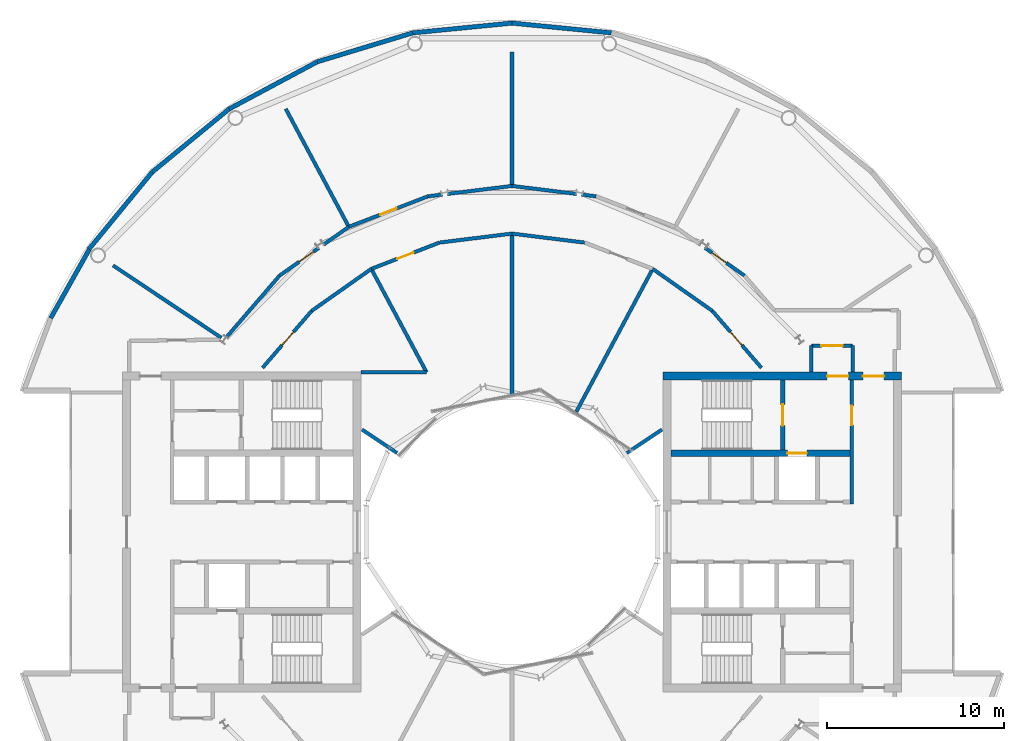
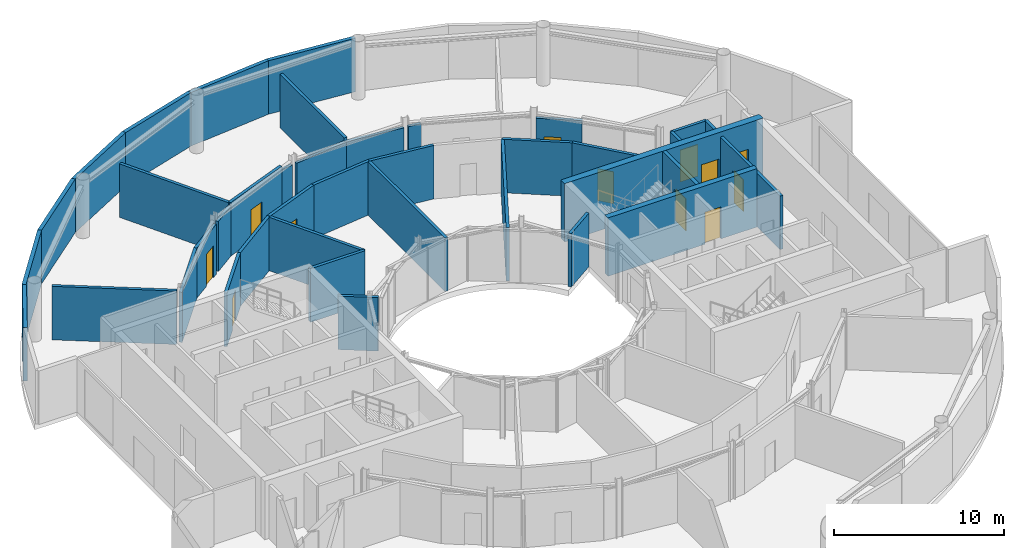
# One storey, part 15 of 19: 39 walls, 12 doors, 12 openings.
"""IFC4 building model written with IfcOpenShell, lengths in metres."""

from ifc_helpers import new_model, si_unit, direction, frame, frame_2d, origin, place, context, subcontext, project, spatial, rectangle, extrude, material, layer, layer_set, type_object, element, fill, save


model = new_model("IFC4")

# Units and contexts
model_context = context("Model", 3, precision=1e-05, world=origin(), true_north=direction((0.0, 1.0)))
body_context = subcontext(model_context, "Body", "Model", "MODEL_VIEW")
ifc_project = project(units=[si_unit("LENGTHUNIT", "METRE"), si_unit("AREAUNIT", "SQUARE_METRE"), si_unit("VOLUMEUNIT", "CUBIC_METRE"), si_unit("PLANEANGLEUNIT", "RADIAN"), si_unit("MASSUNIT", "GRAM", prefix="KILO")], contexts=[model_context])

# Site, building, storey
site_placement = place(None, origin())
site = spatial("IfcSite", under=ifc_project, at=site_placement, CompositionType="ELEMENT")
building_placement = place(site_placement, origin())
building = spatial("IfcBuilding", under=site, at=building_placement, Name="Maasbend Ring Residences", CompositionType="ELEMENT")
storey_placement = place(building_placement, frame((0.0, 0.0, 186.0)))
storey = spatial("IfcBuildingStorey", under=building, at=storey_placement, Name="L53", CompositionType="ELEMENT", Elevation=186.0)

# Walls
ifc_material_1 = material(Name="Concrete C30/37", Category="concrete")
ifc_layer_1 = layer(ifc_material_1, 0.199951171875)
ifc_layer_set_1 = layer_set([ifc_layer_1], Name="Concrete C30/37")
wall_type_1 = type_object("IfcWallType", Name="COMPARTMENT WALL 200 CONCRETE", PredefinedType="PARTITIONING", material=ifc_layer_set_1)
for number, where, z_axis, x_axis, name in (
    (1, (19.300048828125, 9.070068359375, 0.0), (0.0, 0.0, 1.0), (0.0, 1.0, 0.0), "U-L53-w016"),
    (2, (16.949951171875, 9.070068359375, 0.0), (0.0, 0.0, 1.0), (0.0, 1.0, 0.0), "U-L53-w017"),
):
    element("IfcWall", number, at=place(storey_placement, frame(where, z_axis=z_axis, x_axis=x_axis)), inside=storey, type_object=wall_type_1, Name=name, PredefinedType="PARTITIONING", context=body_context, shape_type="SweptSolid", body=[
        extrude(rectangle(XDim=1.47998046875, YDim=0.199951171875, at=frame_2d((0.739990234375, 0.0))), origin(), (0.0, 0.0, 1.0), 3.85009765625),
    ])
wall_1_placement = place(storey_placement, frame((-22.594970703125, 15.097900390625, 0.0), z_axis=(0.0, 0.0, 1.0), x_axis=(0.831433566583, -0.555624175463, 0.0)))
element("IfcWall", 3, at=wall_1_placement, inside=storey, type_object=wall_type_1, Name="U-L53-w031", PredefinedType="PARTITIONING", context=body_context, shape_type="SweptSolid", body=[
    extrude(rectangle(XDim=7.375244140625, YDim=0.199951171875, at=frame_2d((3.6875, 0.0))), origin(), (0.0, 0.0, 1.0), 3.85009765625),
])
wall_2_placement = place(storey_placement, frame((-12.81298828125, 23.965087890625, 0.0), z_axis=(0.0, 0.0, 1.0), x_axis=(0.471439510802, -0.881898399848, 0.0)))
element("IfcWall", 4, at=wall_2_placement, inside=storey, type_object=wall_type_1, Name="U-L53-w033", PredefinedType="PARTITIONING", context=body_context, shape_type="SweptSolid", body=[
    extrude(rectangle(XDim=7.57470703125, YDim=0.199951171875, at=frame_2d((3.787353515625, 0.0))), origin(), (0.0, 0.0, 1.0), 3.85009765625),
])
wall_3_placement = place(storey_placement, frame((-7.968994140625, 14.903076171875, 0.0), z_axis=(0.0, 0.0, 1.0), x_axis=(0.471496623847, -0.88186786635, 0.0)))
element("IfcWall", 5, at=wall_3_placement, inside=storey, type_object=wall_type_1, Name="U-L53-w035", PredefinedType="PARTITIONING", context=body_context, shape_type="SweptSolid", body=[
    extrude(rectangle(XDim=6.63818359375, YDim=0.199951171875, at=frame_2d((3.319091796875, 0.0))), origin(), (0.0, 0.0, 1.0), 3.85009765625),
])
wall_4_placement = place(storey_placement, frame((0.0, 7.719970703125, 0.0), z_axis=(0.0, 0.0, 1.0), x_axis=(0.0, 1.0, 0.0)))
element("IfcWall", 6, at=wall_4_placement, inside=storey, type_object=wall_type_1, Name="U-L53-w039", PredefinedType="PARTITIONING", context=body_context, shape_type="SweptSolid", body=[
    extrude(rectangle(XDim=9.179931640625, YDim=0.199951171875, at=frame_2d((4.58984375, 0.0))), origin(), (0.0, 0.0, 1.0), 3.85009765625),
])
wall_5_placement = place(storey_placement, frame((0.0, 19.60009765625, 0.0), z_axis=(0.0, 0.0, 1.0), x_axis=(0.0, 1.0, 0.0)))
element("IfcWall", 7, at=wall_5_placement, inside=storey, type_object=wall_type_1, Name="U-L53-w040", PredefinedType="PARTITIONING", context=body_context, shape_type="SweptSolid", body=[
    extrude(rectangle(XDim=7.574951171875, YDim=0.199951171875, at=frame_2d((3.78759765625, 0.0))), origin(), (0.0, 0.0, 1.0), 3.85009765625),
])
wall_6_placement = place(storey_placement, frame((3.64111328125, 6.806884765625, 0.0), z_axis=(0.0, 0.0, 1.0), x_axis=(0.471428625665, 0.881904218667, 0.0)))
element("IfcWall", 8, at=wall_6_placement, inside=storey, type_object=wall_type_1, Name="U-L53-w042", PredefinedType="PARTITIONING", context=body_context, shape_type="SweptSolid", body=[
    extrude(rectangle(XDim=9.180419921875, YDim=0.199951171875, at=frame_2d((4.59033203125, 0.0))), origin(), (0.0, 0.0, 1.0), 3.85009765625),
])
wall_7_placement = place(storey_placement, frame((-8.550048828125, 9.050048828125, 0.0), z_axis=(0.0, 0.0, 1.0), x_axis=(1.0, 0.0, 0.0)))
element("IfcWall", 9, at=wall_7_placement, inside=storey, type_object=wall_type_1, Name="U-L53-w049", PredefinedType="PARTITIONING", context=body_context, shape_type="SweptSolid", body=[
    extrude(rectangle(XDim=3.712158203125, YDim=0.199951171875, at=frame_2d((1.85595703125, 0.0))), origin(), (0.0, 0.0, 1.0), 3.85009765625),
])

# Wall, opening, door
wall_8_placement = place(storey_placement, frame((16.949951171875, 10.550048828125, 0.0), z_axis=(0.0, 0.0, 1.0), x_axis=(1.0, 0.0, 0.0)))
wall_8 = element("IfcWall", 10, at=wall_8_placement, inside=storey, type_object=wall_type_1, Name="U-L53-w050", PredefinedType="PARTITIONING", context=body_context, shape_type="SweptSolid", body=[
    extrude(rectangle(XDim=2.35009765625, YDim=0.199951171875, at=frame_2d((1.175048828125, 0.0))), origin(), (0.0, 0.0, 1.0), 3.85009765625),
])
opening_1_placement = place(wall_8_placement, frame((0.574951171875, 0.0, 0.0)))
opening_1 = element("IfcOpeningElement", 11, at=opening_1_placement, cuts=wall_8, Name="Opening D-5301", PredefinedType="OPENING", context=body_context, shape_type="SweptSolid", body=[
    extrude(rectangle(XDim=1.199951171875, YDim=2.300048828125, at=frame_2d((0.60009765625, 1.14990234375))), frame((0.0, 0.10986328125, 0.0), z_axis=(0.0, -1.0, 0.0), x_axis=(1.0, 0.0, 0.0)), (0.0, 0.0, 1.0), 0.219970703125),
])
ifc_material_2 = material(Name="Steel, fire-rated, painted", Category="steel")
door_type_1 = type_object("IfcDoorType", Name="REFUGE DOOR 1200 X 2300 FIRE-RATED", OperationType="NOTDEFINED", PredefinedType="DOOR", material=ifc_material_2)
door_1_placement = place(opening_1_placement, origin())
door_1 = element("IfcDoor", 12, at=door_1_placement, inside=storey, type_object=door_type_1, Name="D-5301", OperationType="SINGLE_SWING_LEFT", OverallHeight=2.300048828125, OverallWidth=1.199951171875, PredefinedType="DOOR", context=body_context, shape_type="SweptSolid", body=[
    extrude(rectangle(XDim=1.199951171875, YDim=2.300048828125, at=frame_2d((0.60009765625, 1.14990234375))), frame((0.0, 0.02490234375, 0.0), z_axis=(0.0, -1.0, 0.0), x_axis=(1.0, 0.0, 0.0)), (0.0, 0.0, 1.0), 0.050048828125),
])
fill(opening_1, door_1)

wall_9_placement = place(storey_placement, frame((-14.12890625, 9.300048828125, 0.0), z_axis=(0.0, 0.0, 1.0), x_axis=(0.65324486504, 0.757146713853, 0.0)))
wall_9 = element("IfcWall", 13, at=wall_9_placement, inside=storey, type_object=wall_type_1, Name="U-L53-w053", PredefinedType="PARTITIONING", context=body_context, shape_type="SweptSolid", body=[
    extrude(rectangle(XDim=4.25537109375, YDim=0.199951171875, at=frame_2d((2.127685546875, 0.0))), origin(), (0.0, 0.0, 1.0), 3.85009765625),
])
opening_2_placement = place(wall_9_placement, frame((1.68701171875, 0.0, 0.0)))
opening_2 = element("IfcOpeningElement", 14, at=opening_2_placement, cuts=wall_9, Name="Opening D-5310", PredefinedType="OPENING", context=body_context, shape_type="SweptSolid", body=[
    extrude(rectangle(XDim=1.0, YDim=2.300048828125, at=frame_2d((0.5, 1.14990234375))), frame((0.0, 0.10986328125, 0.0), z_axis=(0.0, -1.0, 0.0), x_axis=(1.0, 0.0, 0.0)), (0.0, 0.0, 1.0), 0.219970703125),
])
ifc_material_3 = material(Name="Steel, fire-rated, painted", Category="steel")
door_type_2 = type_object("IfcDoorType", Name="PLANT DOOR 1000 X 2300 FIRE-RATED", OperationType="NOTDEFINED", PredefinedType="DOOR", material=ifc_material_3)
door_2_placement = place(opening_2_placement, origin())
door_2 = element("IfcDoor", 15, at=door_2_placement, inside=storey, type_object=door_type_2, Name="D-5310", OperationType="SINGLE_SWING_RIGHT", OverallHeight=2.300048828125, OverallWidth=1.0, PredefinedType="DOOR", context=body_context, shape_type="SweptSolid", body=[
    extrude(rectangle(XDim=1.0, YDim=2.300048828125, at=frame_2d((0.5, 1.14990234375))), frame((0.0, 0.02490234375, 0.0), z_axis=(0.0, -1.0, 0.0), x_axis=(1.0, 0.0, 0.0)), (0.0, 0.0, 1.0), 0.050048828125),
])
fill(opening_2, door_2)

# Wall
wall_10_placement = place(storey_placement, frame((-11.34912109375, 12.52197265625, 0.0), z_axis=(0.0, 0.0, 1.0), x_axis=(0.817567680547, 0.575832517079, 0.0)))
element("IfcWall", 16, at=wall_10_placement, inside=storey, type_object=wall_type_1, Name="U-L53-w054", PredefinedType="PARTITIONING", context=body_context, shape_type="SweptSolid", body=[
    extrude(rectangle(XDim=4.13671875, YDim=0.199951171875, at=frame_2d((2.068359375, 0.0))), origin(), (0.0, 0.0, 1.0), 3.85009765625),
])

# Wall, opening, door
wall_11_placement = place(storey_placement, frame((-7.967041015625, 14.904052734375, 0.0), z_axis=(0.0, 0.0, 1.0), x_axis=(0.932943640288, 0.360022449363, 0.0)))
wall_11 = element("IfcWall", 17, at=wall_11_placement, inside=storey, type_object=wall_type_1, Name="U-L53-w055", PredefinedType="PARTITIONING", context=body_context, shape_type="SweptSolid", body=[
    extrude(rectangle(XDim=4.138671875, YDim=0.199951171875, at=frame_2d((2.0693359375, 0.0))), origin(), (0.0, 0.0, 1.0), 3.85009765625),
])
opening_3_placement = place(wall_11_placement, frame((1.569091796875, 0.0, 0.0)))
opening_3 = element("IfcOpeningElement", 18, at=opening_3_placement, cuts=wall_11, Name="Opening D-5309", PredefinedType="OPENING", context=body_context, shape_type="SweptSolid", body=[
    extrude(rectangle(XDim=1.0, YDim=2.300048828125, at=frame_2d((0.5, 1.14990234375))), frame((0.0, 0.10986328125, 0.0), z_axis=(0.0, -1.0, 0.0), x_axis=(1.0, 0.0, 0.0)), (0.0, 0.0, 1.0), 0.219970703125),
])
door_3_placement = place(opening_3_placement, origin())
door_3 = element("IfcDoor", 19, at=door_3_placement, inside=storey, type_object=door_type_2, Name="D-5309", OperationType="SINGLE_SWING_RIGHT", OverallHeight=2.300048828125, OverallWidth=1.0, PredefinedType="DOOR", context=body_context, shape_type="SweptSolid", body=[
    extrude(rectangle(XDim=1.0, YDim=2.300048828125, at=frame_2d((0.5, 1.14990234375))), frame((0.0, 0.02490234375, 0.0), z_axis=(0.0, -1.0, 0.0), x_axis=(1.0, 0.0, 0.0)), (0.0, 0.0, 1.0), 0.050048828125),
])
fill(opening_3, door_3)

# Walls
for number, where, z_axis, x_axis, name in (
    (20, (-4.10595703125, 16.39404296875, 0.0), (0.0, 0.0, 1.0), (0.992496033272, 0.122276833211, 0.0), "U-L53-w056"),
    (21, (0.0, 16.89990234375, 0.0), (0.0, 0.0, 1.0), (0.992496033272, -0.122276833211, 0.0), "U-L53-w057"),
):
    element("IfcWall", number, at=place(storey_placement, frame(where, z_axis=z_axis, x_axis=x_axis)), inside=storey, type_object=wall_type_1, Name=name, PredefinedType="PARTITIONING", context=body_context, shape_type="SweptSolid", body=[
        extrude(rectangle(XDim=4.136962890625, YDim=0.199951171875, at=frame_2d((2.068359375, 0.0))), origin(), (0.0, 0.0, 1.0), 3.85009765625),
    ])
wall_12_placement = place(storey_placement, frame((7.967041015625, 14.904052734375, 0.0), z_axis=(0.0, 0.0, 1.0), x_axis=(0.817567680547, -0.575832517079, 0.0)))
element("IfcWall", 22, at=wall_12_placement, inside=storey, type_object=wall_type_1, Name="U-L53-w059", PredefinedType="PARTITIONING", context=body_context, shape_type="SweptSolid", body=[
    extrude(rectangle(XDim=4.13671875, YDim=0.199951171875, at=frame_2d((2.068359375, 0.0))), origin(), (0.0, 0.0, 1.0), 3.85009765625),
])

# Wall, opening, door
wall_13_placement = place(storey_placement, frame((11.34912109375, 12.52197265625, 0.0), z_axis=(0.0, 0.0, 1.0), x_axis=(0.65324486504, -0.757146713853, 0.0)))
wall_13 = element("IfcWall", 23, at=wall_13_placement, inside=storey, type_object=wall_type_1, Name="U-L53-w060", PredefinedType="PARTITIONING", context=body_context, shape_type="SweptSolid", body=[
    extrude(rectangle(XDim=4.25537109375, YDim=0.199951171875, at=frame_2d((2.127685546875, 0.0))), origin(), (0.0, 0.0, 1.0), 3.85009765625),
])
opening_4_placement = place(wall_13_placement, frame((1.569091796875, 0.0, 0.0)))
opening_4 = element("IfcOpeningElement", 24, at=opening_4_placement, cuts=wall_13, Name="Opening D-5307", PredefinedType="OPENING", context=body_context, shape_type="SweptSolid", body=[
    extrude(rectangle(XDim=1.0, YDim=2.300048828125, at=frame_2d((0.5, 1.14990234375))), frame((0.0, 0.10986328125, 0.0), z_axis=(0.0, -1.0, 0.0), x_axis=(1.0, 0.0, 0.0)), (0.0, 0.0, 1.0), 0.219970703125),
])
door_4_placement = place(opening_4_placement, origin())
door_4 = element("IfcDoor", 25, at=door_4_placement, inside=storey, type_object=door_type_2, Name="D-5307", OperationType="SINGLE_SWING_LEFT", OverallHeight=2.300048828125, OverallWidth=1.0, PredefinedType="DOOR", context=body_context, shape_type="SweptSolid", body=[
    extrude(rectangle(XDim=1.0, YDim=2.300048828125, at=frame_2d((0.5, 1.14990234375))), frame((0.0, 0.02490234375, 0.0), z_axis=(0.0, -1.0, 0.0), x_axis=(1.0, 0.0, 0.0)), (0.0, 0.0, 1.0), 0.050048828125),
])
fill(opening_4, door_4)

# Wall
wall_14_placement = place(storey_placement, frame((-16.197998046875, 11.00390625, 0.0), z_axis=(0.0, 0.0, 1.0), x_axis=(0.653094461639, 0.757276451619, 0.0)))
element("IfcWall", 26, at=wall_14_placement, inside=storey, type_object=wall_type_1, Name="U-L53-w063", PredefinedType="PARTITIONING", context=body_context, shape_type="SweptSolid", body=[
    extrude(rectangle(XDim=4.64697265625, YDim=0.199951171875, at=frame_2d((2.323486328125, 0.0))), origin(), (0.0, 0.0, 1.0), 3.60009765625),
])

# Wall, opening, door
wall_15_placement = place(storey_placement, frame((-13.1630859375, 14.52294921875, 0.0), z_axis=(0.0, 0.0, 1.0), x_axis=(0.817664396292, 0.57569517545, 0.0)))
wall_15 = element("IfcWall", 27, at=wall_15_placement, inside=storey, type_object=wall_type_1, Name="U-L53-w064", PredefinedType="PARTITIONING", context=body_context, shape_type="SweptSolid", body=[
    extrude(rectangle(XDim=2.727294921875, YDim=0.199951171875, at=frame_2d((1.36376953125, 0.0))), origin(), (0.0, 0.0, 1.0), 3.60009765625),
])
opening_5_placement = place(wall_15_placement, frame((1.35009765625, 0.0, 0.0)))
opening_5 = element("IfcOpeningElement", 28, at=opening_5_placement, cuts=wall_15, Name="Opening D-5306", PredefinedType="OPENING", context=body_context, shape_type="SweptSolid", body=[
    extrude(rectangle(XDim=1.0, YDim=2.300048828125, at=frame_2d((0.5, 1.14990234375))), frame((0.0, 0.10986328125, 0.0), z_axis=(0.0, -1.0, 0.0), x_axis=(1.0, 0.0, 0.0)), (0.0, 0.0, 1.0), 0.219970703125),
])
door_5_placement = place(opening_5_placement, origin())
door_5 = element("IfcDoor", 29, at=door_5_placement, inside=storey, type_object=door_type_2, Name="D-5306", OperationType="SINGLE_SWING_RIGHT", OverallHeight=2.300048828125, OverallWidth=1.0, PredefinedType="DOOR", context=body_context, shape_type="SweptSolid", body=[
    extrude(rectangle(XDim=1.0, YDim=2.300048828125, at=frame_2d((0.5, 1.14990234375))), frame((0.0, 0.02490234375, 0.0), z_axis=(0.0, -1.0, 0.0), x_axis=(1.0, 0.0, 0.0)), (0.0, 0.0, 1.0), 0.050048828125),
])
fill(opening_5, door_5)

# Wall
wall_16_placement = place(storey_placement, frame((-10.68798828125, 16.26611328125, 0.0), z_axis=(0.0, 0.0, 1.0), x_axis=(0.817772792535, 0.575541188613, 0.0)))
element("IfcWall", 30, at=wall_16_placement, inside=storey, type_object=wall_type_1, Name="U-L53-w065", PredefinedType="PARTITIONING", context=body_context, shape_type="SweptSolid", body=[
    extrude(rectangle(XDim=1.77197265625, YDim=0.199951171875, at=frame_2d((0.885986328125, 0.0))), origin(), (0.0, 0.0, 1.0), 3.60009765625),
])

# Wall, opening, door
wall_17_placement = place(storey_placement, frame((-9.239013671875, 17.285888671875, 0.0), z_axis=(0.0, 0.0, 1.0), x_axis=(0.932988479706, 0.359906233255, 0.0)))
wall_17 = element("IfcWall", 31, at=wall_17_placement, inside=storey, type_object=wall_type_1, Name="U-L53-w066", PredefinedType="PARTITIONING", context=body_context, shape_type="SweptSolid", body=[
    extrude(rectangle(XDim=4.798583984375, YDim=0.199951171875, at=frame_2d((2.3994140625, 0.0))), origin(), (0.0, 0.0, 1.0), 3.85009765625),
])
opening_6_placement = place(wall_17_placement, frame((1.89892578125, 0.0, 0.0)))
opening_6 = element("IfcOpeningElement", 32, at=opening_6_placement, cuts=wall_17, Name="Opening D-5305", PredefinedType="OPENING", context=body_context, shape_type="SweptSolid", body=[
    extrude(rectangle(XDim=1.0, YDim=2.300048828125, at=frame_2d((0.5, 1.14990234375))), frame((0.0, 0.10986328125, 0.0), z_axis=(0.0, -1.0, 0.0), x_axis=(1.0, 0.0, 0.0)), (0.0, 0.0, 1.0), 0.219970703125),
])
door_6_placement = place(opening_6_placement, origin())
door_6 = element("IfcDoor", 33, at=door_6_placement, inside=storey, type_object=door_type_2, Name="D-5305", OperationType="SINGLE_SWING_LEFT", OverallHeight=2.300048828125, OverallWidth=1.0, PredefinedType="DOOR", context=body_context, shape_type="SweptSolid", body=[
    extrude(rectangle(XDim=1.0, YDim=2.300048828125, at=frame_2d((0.5, 1.14990234375))), frame((0.0, 0.02490234375, 0.0), z_axis=(0.0, -1.0, 0.0), x_axis=(1.0, 0.0, 0.0)), (0.0, 0.0, 1.0), 0.050048828125),
])
fill(opening_6, door_6)

# Walls
wall_18_placement = place(storey_placement, frame((-4.761962890625, 19.012939453125, 0.0), z_axis=(0.0, 0.0, 1.0), x_axis=(0.992392935119, 0.123110772587, 0.0)))
element("IfcWall", 34, at=wall_18_placement, inside=storey, type_object=wall_type_1, Name="U-L53-w067", PredefinedType="PARTITIONING", context=body_context, shape_type="SweptSolid", body=[
    extrude(rectangle(XDim=0.81298828125, YDim=0.199951171875, at=frame_2d((0.406494140625, 0.0))), origin(), (0.0, 0.0, 1.0), 3.60009765625),
])
for number, where, z_axis, x_axis, name in (
    (35, (-3.656005859375, 19.14892578125, 0.0), (0.0, 0.0, 1.0), (0.992471400802, 0.122476604253, 0.0), "U-L53-w068"),
    (36, (0.0, 19.60009765625, 0.0), (0.0, 0.0, 1.0), (0.992471400802, -0.122476604253, 0.0), "U-L53-w069"),
):
    element("IfcWall", number, at=place(storey_placement, frame(where, z_axis=z_axis, x_axis=x_axis)), inside=storey, type_object=wall_type_1, Name=name, PredefinedType="PARTITIONING", context=body_context, shape_type="SweptSolid", body=[
        extrude(rectangle(XDim=3.683837890625, YDim=0.199951171875, at=frame_2d((1.841796875, 0.0))), origin(), (0.0, 0.0, 1.0), 3.60009765625),
    ])
wall_19_placement = place(storey_placement, frame((3.955078125, 19.113037109375, 0.0), z_axis=(0.0, 0.0, 1.0), x_axis=(0.992392935119, -0.123110772587, 0.0)))
element("IfcWall", 37, at=wall_19_placement, inside=storey, type_object=wall_type_1, Name="U-L53-w070", PredefinedType="PARTITIONING", context=body_context, shape_type="SweptSolid", body=[
    extrude(rectangle(XDim=0.81298828125, YDim=0.199951171875, at=frame_2d((0.406494140625, 0.0))), origin(), (0.0, 0.0, 1.0), 3.60009765625),
])

# Wall, opening, door
wall_20_placement = place(storey_placement, frame((10.93310546875, 16.093017578125, 0.0), z_axis=(0.0, 0.0, 1.0), x_axis=(0.817664396292, -0.57569517545, 0.0)))
wall_20 = element("IfcWall", 38, at=wall_20_placement, inside=storey, type_object=wall_type_1, Name="U-L53-w073", PredefinedType="PARTITIONING", context=body_context, shape_type="SweptSolid", body=[
    extrude(rectangle(XDim=2.727294921875, YDim=0.199951171875, at=frame_2d((1.36376953125, 0.0))), origin(), (0.0, 0.0, 1.0), 3.60009765625),
])
opening_7_placement = place(wall_20_placement, frame((0.47802734375, 0.0, 0.0)))
opening_7 = element("IfcOpeningElement", 39, at=opening_7_placement, cuts=wall_20, Name="Opening D-5303", PredefinedType="OPENING", context=body_context, shape_type="SweptSolid", body=[
    extrude(rectangle(XDim=1.0, YDim=2.300048828125, at=frame_2d((0.5, 1.14990234375))), frame((0.0, 0.10986328125, 0.0), z_axis=(0.0, -1.0, 0.0), x_axis=(1.0, 0.0, 0.0)), (0.0, 0.0, 1.0), 0.219970703125),
])
door_7_placement = place(opening_7_placement, origin())
door_7 = element("IfcDoor", 40, at=door_7_placement, inside=storey, type_object=door_type_2, Name="D-5303", OperationType="SINGLE_SWING_LEFT", OverallHeight=2.300048828125, OverallWidth=1.0, PredefinedType="DOOR", context=body_context, shape_type="SweptSolid", body=[
    extrude(rectangle(XDim=1.0, YDim=2.300048828125, at=frame_2d((0.5, 1.14990234375))), frame((0.0, 0.02490234375, 0.0), z_axis=(0.0, -1.0, 0.0), x_axis=(1.0, 0.0, 0.0)), (0.0, 0.0, 1.0), 0.050048828125),
])
fill(opening_7, door_7)

ifc_material_4 = material(Name="Concrete C50/60", Category="concrete")
ifc_layer_2 = layer(ifc_material_4, 0.25)
ifc_layer_set_2 = layer_set([ifc_layer_2], Name="Concrete C50/60")
wall_type_2 = type_object("IfcWallType", Name="CORE WALL 250 C50/60", PredefinedType="SHEAR", material=ifc_layer_set_2)
wall_21_placement = place(storey_placement, frame((15.324951171875, 4.64990234375, 0.0), z_axis=(0.0, 0.0, 1.0), x_axis=(0.0, 1.0, 0.0)))
wall_21 = element("IfcWall", 41, at=wall_21_placement, inside=storey, type_object=wall_type_2, Name="L53 core E wall STEN", PredefinedType="SHEAR", context=body_context, shape_type="SweptSolid", body=[
    extrude(rectangle(XDim=3.9501953125, YDim=0.25, at=frame_2d((1.97509765625, 0.0))), origin(), (0.0, 0.0, 1.0), 4.199951171875),
])
opening_8_placement = place(wall_21_placement, frame((1.375, 0.0, 0.0)))
opening_8 = element("IfcOpeningElement", 42, at=opening_8_placement, cuts=wall_21, Name="Opening D-E5312", PredefinedType="OPENING", context=body_context, shape_type="SweptSolid", body=[
    extrude(rectangle(XDim=1.199951171875, YDim=2.300048828125, at=frame_2d((0.60009765625, 1.14990234375))), frame((0.0, 0.135009765625, 0.0), z_axis=(0.0, -1.0, 0.0), x_axis=(1.0, 0.0, 0.0)), (0.0, 0.0, 1.0), 0.27001953125),
])
ifc_material_5 = material(Name="Steel, powder coated", Category="steel")
door_type_3 = type_object("IfcDoorType", Name="STAIR DOOR 1200 X 2300 FD60", OperationType="NOTDEFINED", PredefinedType="DOOR", material=ifc_material_5)
door_8_placement = place(opening_8_placement, origin())
door_8 = element("IfcDoor", 43, at=door_8_placement, inside=storey, type_object=door_type_3, Name="Stair door ST-E L53", OperationType="SINGLE_SWING_LEFT", OverallHeight=2.300048828125, OverallWidth=1.199951171875, PredefinedType="DOOR", context=body_context, shape_type="SweptSolid", body=[
    extrude(rectangle(XDim=1.199951171875, YDim=2.300048828125, at=frame_2d((0.60009765625, 1.14990234375))), frame((0.0, 0.02490234375, 0.0), z_axis=(0.0, -1.0, 0.0), x_axis=(1.0, 0.0, 0.0)), (0.0, 0.0, 1.0), 0.050048828125),
])
fill(opening_8, door_8)

ifc_material_6 = material(Name="Concrete C50/60", Category="concrete")
ifc_layer_3 = layer(ifc_material_6, 0.375)
ifc_layer_set_3 = layer_set([ifc_layer_3], Name="Concrete C50/60")
wall_type_3 = type_object("IfcWallType", Name="CORE WALL 375 C50/60", PredefinedType="SHEAR", material=ifc_layer_set_3)
wall_22_placement = place(storey_placement, frame((9.0, 4.46240234375, 0.0), z_axis=(0.0, 0.0, 1.0), x_axis=(1.0, 0.0, 0.0)))
wall_22 = element("IfcWall", 44, at=wall_22_placement, inside=storey, type_object=wall_type_3, Name="L53 core E wall BN", PredefinedType="SHEAR", context=body_context, shape_type="SweptSolid", body=[
    extrude(rectangle(XDim=10.14990234375, YDim=0.375, at=frame_2d((5.074951171875, 0.0))), origin(), (0.0, 0.0, 1.0), 4.199951171875),
])
opening_9_placement = place(wall_22_placement, frame((6.60009765625, 0.0, 0.0)))
opening_9 = element("IfcOpeningElement", 45, at=opening_9_placement, cuts=wall_22, Name="Opening LD-E5301", PredefinedType="OPENING", context=body_context, shape_type="SweptSolid", body=[
    extrude(rectangle(XDim=1.10009765625, YDim=2.300048828125, at=frame_2d((0.550048828125, 1.14990234375))), frame((0.0, 0.197509765625, 0.0), z_axis=(0.0, -1.0, 0.0), x_axis=(1.0, 0.0, 0.0)), (0.0, 0.0, 1.0), 0.39501953125),
])
ifc_material_7 = material(Name="Stainless steel 316", Category="steel")
door_type_4 = type_object("IfcDoorType", Name="LANDING DOOR 1100 X 2300 FD60", OperationType="DOUBLE_DOOR_SLIDING", PredefinedType="DOOR", material=ifc_material_7)
door_9_placement = place(opening_9_placement, origin())
door_9 = element("IfcDoor", 46, at=door_9_placement, inside=storey, type_object=door_type_4, Name="Landing door FF-E L53", OperationType="DOUBLE_DOOR_SLIDING", OverallHeight=2.300048828125, OverallWidth=1.10009765625, PredefinedType="DOOR", context=body_context, shape_type="SweptSolid", body=[
    extrude(rectangle(XDim=1.10009765625, YDim=2.300048828125, at=frame_2d((0.550048828125, 1.14990234375))), frame((0.0, 0.02490234375, 0.0), z_axis=(0.0, -1.0, 0.0), x_axis=(1.0, 0.0, 0.0)), (0.0, 0.0, 1.0), 0.050048828125),
])
fill(opening_9, door_9)

# Wall, openings, doors
ifc_material_8 = material(Name="Concrete C50/60", Category="concrete")
ifc_layer_4 = layer(ifc_material_8, 0.449951171875)
ifc_layer_set_4 = layer_set([ifc_layer_4], Name="Concrete C50/60")
wall_type_4 = type_object("IfcWallType", Name="CORE WALL 450 C50/60", PredefinedType="SHEAR", material=ifc_layer_set_4)
wall_23_placement = place(storey_placement, frame((22.050048828125, 8.824951171875, 0.0), z_axis=(0.0, 0.0, 1.0), x_axis=(-1.0, 0.0, 0.0)))
wall_23 = element("IfcWall", 47, at=wall_23_placement, inside=storey, type_object=wall_type_4, Name="L53 core E wall PN", PredefinedType="SHEAR", context=body_context, shape_type="SweptSolid", body=[
    extrude(rectangle(XDim=13.5, YDim=0.449951171875, at=frame_2d((6.75, 0.0))), origin(), (0.0, 0.0, 1.0), 4.199951171875),
])
opening_10_placement = place(wall_23_placement, frame((0.97509765625, 0.0, 0.0)))
opening_10 = element("IfcOpeningElement", 48, at=opening_10_placement, cuts=wall_23, Name="Opening D-E5316", PredefinedType="OPENING", context=body_context, shape_type="SweptSolid", body=[
    extrude(rectangle(XDim=1.199951171875, YDim=2.300048828125, at=frame_2d((0.60009765625, 1.14990234375))), frame((0.0, 0.23486328125, 0.0), z_axis=(0.0, -1.0, 0.0), x_axis=(1.0, 0.0, 0.0)), (0.0, 0.0, 1.0), 0.469970703125),
])
opening_11_placement = place(wall_23_placement, frame((3.0, 0.0, 0.0)))
opening_11 = element("IfcOpeningElement", 49, at=opening_11_placement, cuts=wall_23, Name="Opening D-E5318", PredefinedType="OPENING", context=body_context, shape_type="SweptSolid", body=[
    extrude(rectangle(XDim=1.199951171875, YDim=2.300048828125, at=frame_2d((0.60009765625, 1.14990234375))), frame((0.0, 0.23486328125, 0.0), z_axis=(0.0, -1.0, 0.0), x_axis=(1.0, 0.0, 0.0)), (0.0, 0.0, 1.0), 0.469970703125),
])
ifc_material_9 = material(Name="Steel, powder coated", Category="steel")
door_type_5 = type_object("IfcDoorType", Name="CORRIDOR DOOR 1200 X 2300 FD30S", OperationType="NOTDEFINED", PredefinedType="DOOR", material=ifc_material_9)
door_10_placement = place(opening_10_placement, origin())
door_10 = element("IfcDoor", 50, at=door_10_placement, inside=storey, type_object=door_type_5, Name="Corridor door L53", OperationType="SINGLE_SWING_RIGHT", OverallHeight=2.300048828125, OverallWidth=1.199951171875, PredefinedType="DOOR", context=body_context, shape_type="SweptSolid", body=[
    extrude(rectangle(XDim=1.199951171875, YDim=2.300048828125, at=frame_2d((0.60009765625, 1.14990234375))), frame((0.0, 0.02490234375, 0.0), z_axis=(0.0, -1.0, 0.0), x_axis=(1.0, 0.0, 0.0)), (0.0, 0.0, 1.0), 0.050048828125),
])
fill(opening_10, door_10)
ifc_material_10 = material(Name="Steel, powder coated", Category="steel")
door_type_6 = type_object("IfcDoorType", Name="LOBBY DOOR 1200 X 2300 FD60", OperationType="NOTDEFINED", PredefinedType="DOOR", material=ifc_material_10)
door_11_placement = place(opening_11_placement, origin())
door_11 = element("IfcDoor", 51, at=door_11_placement, inside=storey, type_object=door_type_6, Name="Lobby door L53", OperationType="SINGLE_SWING_RIGHT", OverallHeight=2.300048828125, OverallWidth=1.199951171875, PredefinedType="DOOR", context=body_context, shape_type="SweptSolid", body=[
    extrude(rectangle(XDim=1.199951171875, YDim=2.300048828125, at=frame_2d((0.60009765625, 1.14990234375))), frame((0.0, 0.02490234375, 0.0), z_axis=(0.0, -1.0, 0.0), x_axis=(1.0, 0.0, 0.0)), (0.0, 0.0, 1.0), 0.050048828125),
])
fill(opening_11, door_11)

# Walls
ifc_material_11 = material(Name="Louvred aluminium panel", Category="aluminium")
ifc_layer_5 = layer(ifc_material_11, 0.25)
ifc_layer_set_5 = layer_set([ifc_layer_5], Name="EW-LV")
wall_type_5 = type_object("IfcWallType", Name="EW-LV", PredefinedType="SOLIDWALL", material=ifc_layer_set_5)
for number, where, z_axis, x_axis, name in (
    (52, (5.623046875, 28.27099609375, 0.0), (0.0, 0.0, 1.0), (-0.995182425127, 0.098040505497, 0.0), "External wall N05"),
    (53, (0.0, 28.824951171875, 0.0), (0.0, 0.0, 1.0), (-0.995182425127, -0.098040505497, 0.0), "External wall N06"),
):
    element("IfcWall", number, at=place(storey_placement, frame(where, z_axis=z_axis, x_axis=x_axis)), inside=storey, type_object=wall_type_5, Name=name, PredefinedType="SOLIDWALL", context=body_context, shape_type="SweptSolid", body=[
        extrude(rectangle(XDim=5.650146484375, YDim=0.25, at=frame_2d((2.8251953125, 0.0))), origin(), (0.0, 0.0, 1.0), 3.85009765625),
    ])
wall_24_placement = place(storey_placement, frame((-5.623046875, 28.27099609375, 0.0), z_axis=(0.0, 0.0, 1.0), x_axis=(-0.956969521741, -0.29018844646, 0.0)))
element("IfcWall", 54, at=wall_24_placement, inside=storey, type_object=wall_type_5, Name="External wall N07", PredefinedType="SOLIDWALL", context=body_context, shape_type="SweptSolid", body=[
    extrude(rectangle(XDim=5.651123046875, YDim=0.25, at=frame_2d((2.82568359375, 0.0))), origin(), (0.0, 0.0, 1.0), 3.85009765625),
])
wall_25_placement = place(storey_placement, frame((-11.031005859375, 26.631103515625, 0.0), z_axis=(0.0, 0.0, 1.0), x_axis=(-0.881874058161, -0.471485042756, 0.0)))
element("IfcWall", 55, at=wall_25_placement, inside=storey, type_object=wall_type_5, Name="External wall N08", PredefinedType="SOLIDWALL", context=body_context, shape_type="SweptSolid", body=[
    extrude(rectangle(XDim=5.650390625, YDim=0.25, at=frame_2d((2.8251953125, 0.0))), origin(), (0.0, 0.0, 1.0), 3.85009765625),
])
for number, where, z_axis, x_axis, name in (
    (56, (-16.013916015625, 23.967041015625, 0.0), (0.0, 0.0, 1.0), (-0.773001659186, -0.634403999748, 0.0), "External wall N09"),
    (57, (-20.382080078125, 20.382080078125, 0.0), (0.0, 0.0, 1.0), (-0.634403999748, -0.773001659186, 0.0), "External wall N10"),
):
    element("IfcWall", number, at=place(storey_placement, frame(where, z_axis=z_axis, x_axis=x_axis)), inside=storey, type_object=wall_type_5, Name=name, PredefinedType="SOLIDWALL", context=body_context, shape_type="SweptSolid", body=[
        extrude(rectangle(XDim=5.65087890625, YDim=0.25, at=frame_2d((2.825439453125, 0.0))), origin(), (0.0, 0.0, 1.0), 3.85009765625),
    ])
wall_26_placement = place(storey_placement, frame((-23.946044921875, 16.0, 0.0), z_axis=(0.0, 0.0, 1.0), x_axis=(-0.489696356642, -0.871893042919, 0.0)))
element("IfcWall", 58, at=wall_26_placement, inside=storey, type_object=wall_type_5, Name="Horn wall 4.1", PredefinedType="SOLIDWALL", context=body_context, shape_type="SweptSolid", body=[
    extrude(rectangle(XDim=4.45361328125, YDim=0.25, at=frame_2d((2.226806640625, 0.0))), origin(), (0.0, 0.0, 1.0), 3.85009765625),
])
ifc_material_12 = material(Name="Concrete C30/37", Category="concrete")
ifc_layer_6 = layer(ifc_material_12, 0.199951171875)
ifc_layer_set_6 = layer_set([ifc_layer_6], Name="Concrete C30/37")
wall_type_6 = type_object("IfcWallType", Name="PARTY WALL 200 CONCRETE", PredefinedType="PARTITIONING", material=ifc_layer_set_6)
for number, where, z_axis, x_axis, name in (
    (59, (-6.512939453125, 4.471923828125, 0.0), (0.0, 0.0, 1.0), (-0.831403409976, 0.555669299026, 0.0), "U-L53-w047"),
    (60, (6.512939453125, 4.471923828125, 0.0), (0.0, 0.0, 1.0), (0.831403409976, 0.555669299026, 0.0), "U-L53-w048"),
):
    element("IfcWall", number, at=place(storey_placement, frame(where, z_axis=z_axis, x_axis=x_axis)), inside=storey, type_object=wall_type_6, Name=name, PredefinedType="PARTITIONING", context=body_context, shape_type="SweptSolid", body=[
        extrude(rectangle(XDim=2.382568359375, YDim=0.199951171875, at=frame_2d((1.19140625, 0.0))), origin(), (0.0, 0.0, 1.0), 3.85009765625),
    ])

# Wall, opening, door
ifc_material_13 = material(Name="Concrete C30/37", Category="concrete")
ifc_layer_7 = layer(ifc_material_13, 0.199951171875)
ifc_layer_set_7 = layer_set([ifc_layer_7], Name="Concrete C30/37")
wall_type_7 = type_object("IfcWallType", Name="SHAFT WALL 200 EI 120", PredefinedType="SOLIDWALL", material=ifc_layer_set_7)
wall_27_placement = place(storey_placement, frame((19.25, 1.574951171875, 0.0), z_axis=(0.0, 0.0, 1.0), x_axis=(0.0, 1.0, 0.0)))
wall_27 = element("IfcWall", 61, at=wall_27_placement, inside=storey, type_object=wall_type_7, Name="L53 core E wall ENDN", PredefinedType="SOLIDWALL", context=body_context, shape_type="SweptSolid", body=[
    extrude(rectangle(XDim=7.025146484375, YDim=0.199951171875, at=frame_2d((3.5126953125, 0.0))), origin(), (0.0, 0.0, 1.0), 3.85009765625),
])
opening_12_placement = place(wall_27_placement, frame((4.47509765625, 0.0, 0.0)))
opening_12 = element("IfcOpeningElement", 62, at=opening_12_placement, cuts=wall_27, Name="Opening D-E5314", PredefinedType="OPENING", context=body_context, shape_type="SweptSolid", body=[
    extrude(rectangle(XDim=1.10009765625, YDim=2.300048828125, at=frame_2d((0.550048828125, 1.14990234375))), frame((0.0, 0.10986328125, 0.0), z_axis=(0.0, -1.0, 0.0), x_axis=(1.0, 0.0, 0.0)), (0.0, 0.0, 1.0), 0.219970703125),
])
ifc_material_14 = material(Name="Steel, powder coated", Category="steel")
door_type_7 = type_object("IfcDoorType", Name="LOBBY DOOR 1100 X 2300 FD60", OperationType="NOTDEFINED", PredefinedType="DOOR", material=ifc_material_14)
door_12_placement = place(opening_12_placement, origin())
door_12 = element("IfcDoor", 63, at=door_12_placement, inside=storey, type_object=door_type_7, Name="Lobby door L53", OperationType="SINGLE_SWING_LEFT", OverallHeight=2.300048828125, OverallWidth=1.10009765625, PredefinedType="DOOR", context=body_context, shape_type="SweptSolid", body=[
    extrude(rectangle(XDim=1.10009765625, YDim=2.300048828125, at=frame_2d((0.550048828125, 1.14990234375))), frame((0.0, 0.02490234375, 0.0), z_axis=(0.0, -1.0, 0.0), x_axis=(1.0, 0.0, 0.0)), (0.0, 0.0, 1.0), 0.050048828125),
])
fill(opening_12, door_12)

save(model, "model.ifc")
